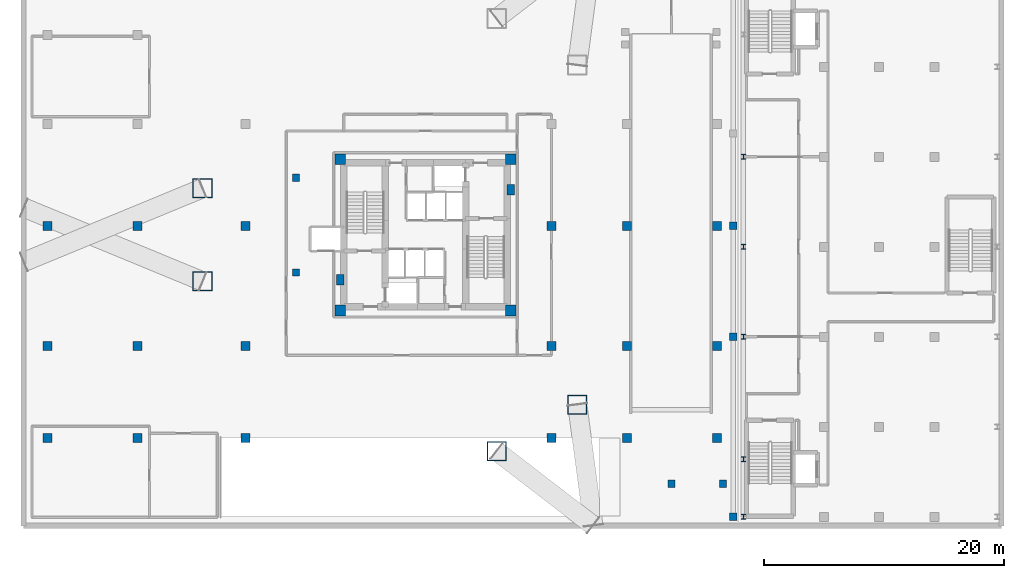
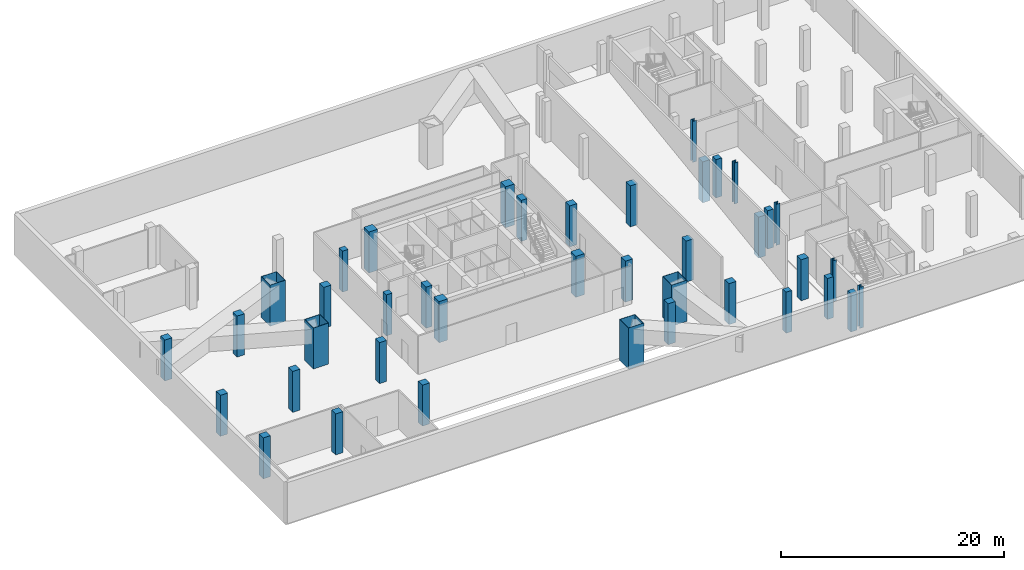
# One storey, part 1 of 14: 40 columns.
"""IFC4 building model written with IfcOpenShell, lengths in metres."""

from ifc_helpers import new_model, si_unit, direction, frame, origin, origin_2d, place, context, subcontext, project, spatial, rectangle, hollow_rectangle, i_section, extrude, material, material_profile, profile_set, type_object, element, save


model = new_model("IFC4")

# Units and contexts
model_context = context("Model", 3, precision=1e-05, world=origin(), true_north=direction((0.0, 1.0)))
body_context = subcontext(model_context, "Body", "Model", "MODEL_VIEW")
ifc_project = project(units=[si_unit("LENGTHUNIT", "METRE"), si_unit("AREAUNIT", "SQUARE_METRE"), si_unit("VOLUMEUNIT", "CUBIC_METRE"), si_unit("PLANEANGLEUNIT", "RADIAN"), si_unit("MASSUNIT", "GRAM", prefix="KILO")], contexts=[model_context])

# Site, building, storey
site_placement = place(None, origin())
site = spatial("IfcSite", under=ifc_project, at=site_placement, CompositionType="ELEMENT")
building_placement = place(site_placement, origin())
building = spatial("IfcBuilding", under=site, at=building_placement, Name="Mersakhor Tower and Convention Hall", CompositionType="ELEMENT")
storey_placement = place(building_placement, frame((0.0, 0.0, -4.5)))
storey = spatial("IfcBuildingStorey", under=building, at=storey_placement, Name="B01", CompositionType="ELEMENT", Elevation=-4.5)

# Columns
ifc_material_1 = material(Name="Concrete C70/85 in S460M steel box", Category="concrete")
ifc_material_profile_1 = material_profile(ifc_material_1, hollow_rectangle(XDim=1.60009765625, YDim=1.60009765625, WallThickness=0.0400390625, at=origin_2d()), Name="SHS 1600x1600x40")
ifc_profile_set_1 = profile_set([ifc_material_profile_1], Name="Concrete C70/85 in S460M steel box")
column_type_1 = type_object("IfcColumnType", Name="COL-CFT-1600", PredefinedType="COLUMN", material=ifc_profile_set_1)
for number, where, z_axis, x_axis, name in (
    (1, (10.416748046875, 30.6279296875, 0.0), (0.0, 0.0, 1.0), (1.0, 0.0, 0.0), "B01 Mega-Column Pedestal PIL-F1-1"),
    (2, (41.64990234375, 12.595458984375, 0.0), (0.0, 0.0, 1.0), (1.0, 0.0, 0.0), "B01 Mega-Column Pedestal PIL-F2-2"),
    (3, (34.933349609375, 8.71728515625, 0.0), (0.0, 0.0, 1.0), (1.0, 0.0, 0.0), "B01 Mega-Column Pedestal PIL-F3-1"),
    (4, (10.416748046875, 22.8720703125, 0.0), (0.0, 0.0, 1.0), (1.0, 0.0, 0.0), "B01 Mega-Column Pedestal PIL-F3-2"),
):
    element("IfcColumn", number, at=place(storey_placement, frame(where, z_axis=z_axis, x_axis=x_axis)), inside=storey, type_object=column_type_1, Name=name, PredefinedType="COLUMN", context=body_context, shape_type="SweptSolid", body=[
        extrude(hollow_rectangle(XDim=1.60009765625, YDim=1.60009765625, WallThickness=0.0400390625, at=origin_2d()), origin(), (0.0, 0.0, 1.0), 4.5),
    ])
ifc_material_2 = material(Name="Concrete C50/60", Category="concrete")
ifc_material_profile_2 = material_profile(ifc_material_2, rectangle(XDim=0.60009765625, YDim=0.60009765625, at=origin_2d()), Name="RC 600x600")
ifc_profile_set_2 = profile_set([ifc_material_profile_2], Name="Concrete C50/60")
column_type_2 = type_object("IfcColumnType", Name="COL-RC-600", PredefinedType="COLUMN", material=ifc_profile_set_2)
for number, where, z_axis, x_axis, name in (
    (5, (49.5, 6.0, 0.0), (0.0, 0.0, 1.0), (1.0, 0.0, 0.0), "B01 Plaza and Ramp Support Column OAS1"),
    (6, (53.800048828125, 6.0, 0.0), (0.0, 0.0, 1.0), (1.0, 0.0, 0.0), "B01 Plaza and Ramp Support Column OAS2"),
    (7, (18.199951171875, 23.60009765625, 0.0), (0.0, 0.0, 1.0), (1.0, 0.0, 0.0), "B01 Plaza and Ramp Support Column WPOD1"),
    (8, (18.199951171875, 31.5, 0.0), (0.0, 0.0, 1.0), (1.0, 0.0, 0.0), "B01 Plaza and Ramp Support Column WPOD2"),
):
    element("IfcColumn", number, at=place(storey_placement, frame(where, z_axis=z_axis, x_axis=x_axis)), inside=storey, type_object=column_type_2, Name=name, PredefinedType="COLUMN", context=body_context, shape_type="SweptSolid", body=[
        extrude(rectangle(XDim=0.60009765625, YDim=0.60009765625, at=origin_2d()), origin(), (0.0, 0.0, 1.0), 4.5),
    ])
for number, where, z_axis, x_axis, name in (
    (9, (54.64990234375, 3.25, 0.0), (0.0, 0.0, 1.0), (1.0, 0.0, 0.0), "B01 Movement Joint West Support Column MJW-1"),
    (10, (54.64990234375, 18.25, 0.0), (0.0, 0.0, 1.0), (1.0, 0.0, 0.0), "B01 Movement Joint West Support Column MJW-2"),
    (11, (54.64990234375, 27.5, 0.0), (0.0, 0.0, 1.0), (1.0, 0.0, 0.0), "B01 Movement Joint West Support Column MJW-3"),
):
    element("IfcColumn", number, at=place(storey_placement, frame(where, z_axis=z_axis, x_axis=x_axis)), inside=storey, type_object=column_type_2, Name=name, PredefinedType="COLUMN", context=body_context, shape_type="SweptSolid", body=[
        extrude(rectangle(XDim=0.60009765625, YDim=0.60009765625, at=origin_2d()), origin(), (0.0, 0.0, 1.0), 4.199951171875),
    ])
ifc_material_3 = material(Name="Concrete C50/60", Category="concrete")
ifc_material_profile_3 = material_profile(ifc_material_3, rectangle(XDim=0.75, YDim=0.75, at=origin_2d()), Name="RC 750x750")
ifc_profile_set_3 = profile_set([ifc_material_profile_3], Name="Concrete C50/60")
column_type_3 = type_object("IfcColumnType", Name="COL-RC-750", PredefinedType="COLUMN", material=ifc_profile_set_3)
for number, where, z_axis, x_axis, name in (
    (12, (-2.5, 9.800048828125, 0.0), (0.0, 0.0, 1.0), (1.0, 0.0, 0.0), "B01 Car Park Column G1-1"),
    (13, (-2.5, 17.5, 0.0), (0.0, 0.0, 1.0), (1.0, 0.0, 0.0), "B01 Car Park Column G1-2"),
    (14, (-2.5, 27.5, 0.0), (0.0, 0.0, 1.0), (1.0, 0.0, 0.0), "B01 Car Park Column G1-3"),
    (15, (5.0, 9.800048828125, 0.0), (0.0, 0.0, 1.0), (1.0, 0.0, 0.0), "B01 Car Park Column G2-1"),
    (16, (5.0, 17.5, 0.0), (0.0, 0.0, 1.0), (1.0, 0.0, 0.0), "B01 Car Park Column G2-2"),
    (17, (5.0, 27.5, 0.0), (0.0, 0.0, 1.0), (1.0, 0.0, 0.0), "B01 Car Park Column G2-3"),
    (18, (14.0, 9.800048828125, 0.0), (0.0, 0.0, 1.0), (1.0, 0.0, 0.0), "B01 Car Park Column G3-1"),
    (19, (14.0, 17.5, 0.0), (0.0, 0.0, 1.0), (1.0, 0.0, 0.0), "B01 Car Park Column G3-2"),
    (20, (14.0, 27.5, 0.0), (0.0, 0.0, 1.0), (1.0, 0.0, 0.0), "B01 Car Park Column G3-3"),
    (21, (39.5, 9.800048828125, 0.0), (0.0, 0.0, 1.0), (1.0, 0.0, 0.0), "B01 Car Park Column G4-1"),
    (22, (39.5, 17.5, 0.0), (0.0, 0.0, 1.0), (1.0, 0.0, 0.0), "B01 Car Park Column G4-2"),
    (23, (39.5, 27.5, 0.0), (0.0, 0.0, 1.0), (1.0, 0.0, 0.0), "B01 Car Park Column G4-3"),
    (24, (45.800048828125, 9.800048828125, 0.0), (0.0, 0.0, 1.0), (1.0, 0.0, 0.0), "B01 Car Park Column G5-1"),
    (25, (45.800048828125, 17.5, 0.0), (0.0, 0.0, 1.0), (1.0, 0.0, 0.0), "B01 Car Park Column G5-2"),
    (26, (45.800048828125, 27.5, 0.0), (0.0, 0.0, 1.0), (1.0, 0.0, 0.0), "B01 Car Park Column G5-3"),
    (27, (53.300048828125, 9.800048828125, 0.0), (0.0, 0.0, 1.0), (1.0, 0.0, 0.0), "B01 Car Park Column G6-1"),
    (28, (53.300048828125, 17.5, 0.0), (0.0, 0.0, 1.0), (1.0, 0.0, 0.0), "B01 Car Park Column G6-2"),
    (29, (53.300048828125, 27.5, 0.0), (0.0, 0.0, 1.0), (1.0, 0.0, 0.0), "B01 Car Park Column G6-3"),
):
    element("IfcColumn", number, at=place(storey_placement, frame(where, z_axis=z_axis, x_axis=x_axis)), inside=storey, type_object=column_type_3, Name=name, PredefinedType="COLUMN", context=body_context, shape_type="SweptSolid", body=[
        extrude(rectangle(XDim=0.75, YDim=0.75, at=origin_2d()), origin(), (0.0, 0.0, 1.0), 4.5),
    ])
ifc_material_4 = material(Name="Concrete C60/75", Category="concrete")
ifc_material_profile_4 = material_profile(ifc_material_4, rectangle(XDim=0.89990234375, YDim=0.89990234375, at=origin_2d()), Name="RC 900x900")
ifc_profile_set_4 = profile_set([ifc_material_profile_4], Name="Concrete C60/75")
column_type_4 = type_object("IfcColumnType", Name="COL-RC-900", PredefinedType="COLUMN", material=ifc_profile_set_4)
for number, where, z_axis, x_axis, name in (
    (30, (21.89990234375, 20.449951171875, 0.0), (0.0, 0.0, 1.0), (1.0, 0.0, 0.0), "B01 Core Corner Column CC-1"),
    (31, (21.89990234375, 33.050048828125, 0.0), (0.0, 0.0, 1.0), (1.0, 0.0, 0.0), "B01 Core Corner Column CC-2"),
    (32, (36.10009765625, 33.050048828125, 0.0), (0.0, 0.0, 1.0), (1.0, 0.0, 0.0), "B01 Core Corner Column CC-3"),
    (33, (36.10009765625, 20.449951171875, 0.0), (0.0, 0.0, 1.0), (1.0, 0.0, 0.0), "B01 Core Corner Column CC-4"),
):
    element("IfcColumn", number, at=place(storey_placement, frame(where, z_axis=z_axis, x_axis=x_axis)), inside=storey, type_object=column_type_4, Name=name, PredefinedType="COLUMN", context=body_context, shape_type="SweptSolid", body=[
        extrude(rectangle(XDim=0.89990234375, YDim=0.89990234375, at=origin_2d()), origin(), (0.0, 0.0, 1.0), 4.5),
    ])
ifc_material_5 = material(Name="Steel S355", Category="steel")
ifc_material_profile_5 = material_profile(ifc_material_5, i_section(OverallWidth=0.39892578125, OverallDepth=0.3935546875, WebThickness=0.022705078125, FlangeThickness=0.03662109375, at=origin_2d()), Name="UC 356x406x287")
ifc_profile_set_5 = profile_set([ifc_material_profile_5], Name="Steel S355")
column_type_5 = type_object("IfcColumnType", Name="COL-STL-UC356", PredefinedType="COLUMN", material=ifc_profile_set_5)
for number, where, z_axis, x_axis, name in (
    (34, (55.5, 3.25, 0.0), (0.0, 0.0, 1.0), (1.0, 0.0, 0.0), "Convention B01 Perimeter Column SC-W1"),
    (35, (55.5, 8.050048828125, 0.0), (0.0, 0.0, 1.0), (1.0, 0.0, 0.0), "Convention B01 Perimeter Column SC-W2"),
    (36, (55.5, 18.25, 0.0), (0.0, 0.0, 1.0), (1.0, 0.0, 0.0), "Convention B01 Perimeter Column SC-W3"),
    (37, (55.5, 25.75, 0.0), (0.0, 0.0, 1.0), (1.0, 0.0, 0.0), "Convention B01 Perimeter Column SC-W4"),
    (38, (55.5, 33.25, 0.0), (0.0, 0.0, 1.0), (1.0, 0.0, 0.0), "Convention B01 Perimeter Column SC-W5"),
):
    element("IfcColumn", number, at=place(storey_placement, frame(where, z_axis=z_axis, x_axis=x_axis)), inside=storey, type_object=column_type_5, Name=name, PredefinedType="COLUMN", context=body_context, shape_type="SweptSolid", body=[
        extrude(i_section(OverallWidth=0.39892578125, OverallDepth=0.3935546875, WebThickness=0.022705078125, FlangeThickness=0.03662109375, at=origin_2d()), origin(), (0.0, 0.0, 1.0), 4.5),
    ])
ifc_material_6 = material(Name="Concrete C50/60", Category="concrete")
ifc_material_profile_6 = material_profile(ifc_material_6, rectangle(XDim=0.60009765625, YDim=0.89990234375, at=origin_2d()), Name="RC 600x900")
ifc_profile_set_6 = profile_set([ifc_material_profile_6], Name="Concrete C50/60")
column_type_6 = type_object("IfcColumnType", Name="PIL-RC-600x900", PredefinedType="PILASTER", material=ifc_profile_set_6)
for number, where, z_axis, x_axis, name in (
    (39, (21.89990234375, 23.0, 0.0), (0.0, 0.0, 1.0), (1.0, 0.0, 0.0), "B01 Core Wall Pilaster CP-1"),
    (40, (36.10009765625, 30.5, 0.0), (0.0, 0.0, 1.0), (1.0, 0.0, 0.0), "B01 Core Wall Pilaster CP-2"),
):
    element("IfcColumn", number, at=place(storey_placement, frame(where, z_axis=z_axis, x_axis=x_axis)), inside=storey, type_object=column_type_6, Name=name, PredefinedType="PILASTER", context=body_context, shape_type="SweptSolid", body=[
        extrude(rectangle(XDim=0.60009765625, YDim=0.89990234375, at=origin_2d()), origin(), (0.0, 0.0, 1.0), 4.5),
    ])

save(model, "model.ifc")
